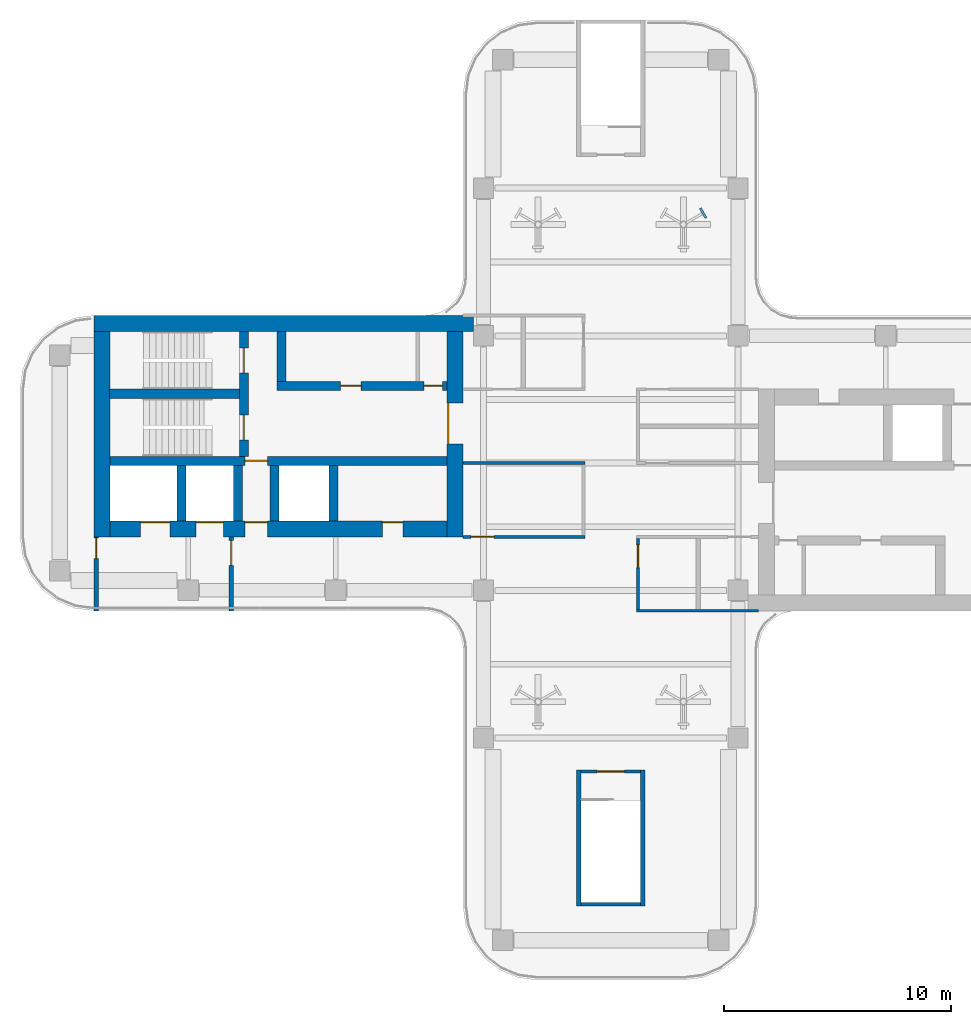
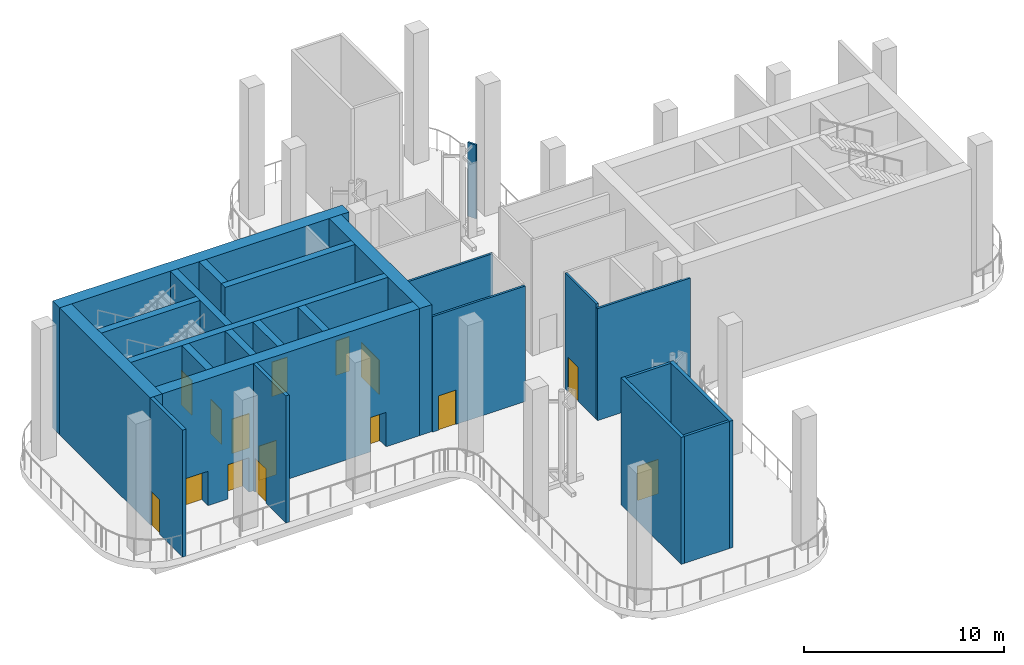
# One storey, part 2 of 8: 23 walls, 15 doors, 1 plate, 15 openings.
"""IFC4 building model written with IfcOpenShell, lengths in metres."""

import ifcopenshell
import ifcopenshell.guid

model = None  # the IFC model being written
_history = None  # IfcOwnerHistory: only IFC2X3 demands one
_inside = {}  # id of a spatial element -> (the spatial element, [elements in it])
_under = {}  # id of a project, library or spatial element -> (it, [spatial elements below it])
_declared = {}  # id of a project -> (the project, [libraries it declares])
_typed = {}  # id of a type object -> (the type object, [elements of that type])
_made_of = {}  # id of a material, layer set ... -> (it, [elements and type objects made of it])


def new_model(schema):
    """Start an empty IFC model of exactly this schema.

    Asked for "IFC4X3", IfcOpenShell would pick the latest addendum, in which some entities
    have other attributes; the version numbers below select the first issue.
    IFC2X3 requires an IfcOwnerHistory on every rooted entity: one is made here for all.
    """
    global model, _history
    if schema == "IFC4X3":
        model = ifcopenshell.file(schema_version=(4, 3, 0, 0))
    else:
        model = ifcopenshell.file(schema=schema)
    _inside.clear()
    _under.clear()
    _declared.clear()
    _typed.clear()
    _made_of.clear()
    _history = None
    if model.schema == "IFC2X3":
        org = make("IfcOrganization", Name="unknown")
        user = make(
            "IfcPersonAndOrganization",
            ThePerson=make("IfcPerson", FamilyName="unknown"),
            TheOrganization=org,
        )
        app = make(
            "IfcApplication",
            ApplicationDeveloper=org,
            Version="unknown",
            ApplicationFullName="unknown",
            ApplicationIdentifier="unknown",
        )
        _history = make(
            "IfcOwnerHistory",
            OwningUser=user,
            OwningApplication=app,
            ChangeAction="ADDED",
            CreationDate=0,
        )
    return model


def make(cls, **values):
    """One entity of the class cls with the attributes given. An attribute that is None is left unset."""
    return model.create_entity(
        cls, **{name: value for name, value in values.items() if value is not None}
    )


def rooted(cls, **values):
    """An entity with a GlobalId (a new one), such as an element, a storey or a relation."""
    return make(cls, GlobalId=ifcopenshell.guid.new(), OwnerHistory=_history, **values)


def si_unit(unit_type, name, prefix=None):
    """IfcSIUnit, for example si_unit("LENGTHUNIT", "METRE", prefix="MILLI")."""
    return make("IfcSIUnit", UnitType=unit_type, Prefix=prefix, Name=name)


def assignment(units):
    """IfcUnitAssignment: the units of a project."""
    return None if units is None else make("IfcUnitAssignment", Units=units)


def point(xyz):
    """IfcCartesianPoint."""
    return None if xyz is None else make("IfcCartesianPoint", Coordinates=xyz)


def direction(xyz):
    """IfcDirection."""
    return None if xyz is None else make("IfcDirection", DirectionRatios=xyz)


def frame(location, z_axis=None, x_axis=None):
    """IfcAxis2Placement3D, a coordinate frame: its origin and axes. An axis left out is left unset."""
    return make(
        "IfcAxis2Placement3D",
        Location=point(location),
        Axis=direction(z_axis),
        RefDirection=direction(x_axis),
    )


def frame_2d(location, x_axis=None):
    """IfcAxis2Placement2D, a coordinate frame in the plane: its origin and x axis."""
    return make(
        "IfcAxis2Placement2D", Location=point(location), RefDirection=direction(x_axis)
    )


def origin():
    """The frame at (0, 0, 0) with its axes left unset."""
    return frame((0.0, 0.0, 0.0))


def origin_2d():
    """The frame at (0, 0) in the plane with its x axis left unset."""
    return frame_2d((0.0, 0.0))


def place(relative_to, where):
    """IfcLocalPlacement: puts the frame where relative to a parent placement (None: the world)."""
    return make(
        "IfcLocalPlacement", PlacementRelTo=relative_to, RelativePlacement=where
    )


def context(
    kind, dimensions, precision=None, world=None, true_north=None, identifier=None
):
    """IfcGeometricRepresentationContext, for example the 3D "Model" context."""
    return make(
        "IfcGeometricRepresentationContext",
        ContextIdentifier=identifier,
        ContextType=kind,
        CoordinateSpaceDimension=dimensions,
        Precision=precision,
        WorldCoordinateSystem=world,
        TrueNorth=true_north,
    )


def subcontext(parent, identifier, kind, view, scale=None):
    """IfcGeometricRepresentationSubContext, for example "Body" below "Model"."""
    return make(
        "IfcGeometricRepresentationSubContext",
        ContextIdentifier=identifier,
        ContextType=kind,
        ParentContext=parent,
        TargetScale=scale,
        TargetView=view,
    )


def project(units=None, contexts=None):
    """IfcProject with its units and contexts."""
    return rooted(
        "IfcProject",
        Name="project",
        RepresentationContexts=contexts,
        UnitsInContext=assignment(units),
    )


def spatial(cls, under=None, at=None, **own):
    """A site, building, storey or space (cls), placed at a placement, below another one or the project."""
    s = rooted(cls, ObjectPlacement=at, **own)
    if under is not None:
        _under.setdefault(under.id(), (under, []))[1].append(s)
    return s


def profile(cls, at=None, kind="AREA", **sizes):
    """A parametric profile (cls). Its sizes go by their IFC names, for example OverallWidth=200.0."""
    return make(cls, ProfileType=kind, Position=at, **sizes)


def rectangle(**sizes):
    """IfcRectangleProfileDef."""
    return profile("IfcRectangleProfileDef", **sizes)


def extrude(swept, where, along, depth):
    """IfcExtrudedAreaSolid: the profile swept, set in the frame where, extruded along a direction by depth."""
    return make(
        "IfcExtrudedAreaSolid",
        SweptArea=swept,
        Position=where,
        ExtrudedDirection=direction(along),
        Depth=depth,
    )


def shape(context_of_items, identifier, shape_type, items):
    """IfcShapeRepresentation: the items that make up one representation, for example the "Body"."""
    return make(
        "IfcShapeRepresentation",
        ContextOfItems=context_of_items,
        RepresentationIdentifier=identifier,
        RepresentationType=shape_type,
        Items=items,
    )


def source(mapping_origin, context_of_items, identifier, shape_type, items):
    """IfcRepresentationMap: a shape defined once, which mapped items show again and again."""
    return make(
        "IfcRepresentationMap",
        MappingOrigin=mapping_origin,
        MappedRepresentation=shape(context_of_items, identifier, shape_type, items),
    )


def transform(
    local_origin,
    x_axis=None,
    y_axis=None,
    z_axis=None,
    scale=None,
    scale2=None,
    scale3=None,
    uniform=True,
):
    """IfcCartesianTransformationOperator3D, or its non-uniform kind. x_axis, y_axis, z_axis: its Axis1, 2, 3."""
    if uniform:
        return make(
            "IfcCartesianTransformationOperator3D",
            Axis1=direction(x_axis),
            Axis2=direction(y_axis),
            LocalOrigin=point(local_origin),
            Scale=scale,
            Axis3=direction(z_axis),
        )
    return make(
        "IfcCartesianTransformationOperator3DnonUniform",
        Axis1=direction(x_axis),
        Axis2=direction(y_axis),
        LocalOrigin=point(local_origin),
        Scale=scale,
        Axis3=direction(z_axis),
        Scale2=scale2,
        Scale3=scale3,
    )


def mapped(mapping_source, mapping_target):
    """IfcMappedItem: shows the shape of a source again, moved by a transform."""
    return make(
        "IfcMappedItem", MappingSource=mapping_source, MappingTarget=mapping_target
    )


def material(Name=None, Category=None):
    """IfcMaterial."""
    return make("IfcMaterial", Name=Name, Category=Category)


def layer(
    of_material, thickness, ventilated=None, Name=None, Category=None, Priority=None
):
    """IfcMaterialLayer: one layer of a wall or slab, of a material (None: an air gap)."""
    return make(
        "IfcMaterialLayer",
        Material=of_material,
        LayerThickness=thickness,
        IsVentilated=ventilated,
        Name=Name,
        Category=Category,
        Priority=Priority,
    )


def layer_set(layers, Name=None):
    """IfcMaterialLayerSet."""
    return make("IfcMaterialLayerSet", MaterialLayers=layers, LayerSetName=Name)


def made_of(thing, what):
    """Note that an element or type object is made of a material, layer set ...; save() writes the relation."""
    if what is not None:
        _made_of.setdefault(what.id(), (what, []))[1].append(thing)
    return thing


def type_object(cls, material=None, **own):
    """A type object (cls), such as IfcWallType, which elements share."""
    return made_of(rooted(cls, **own), material)


def element(
    cls,
    number,
    at=None,
    inside=None,
    cuts=None,
    type_object=None,
    material=None,
    context=None,
    identifier="Body",
    shape_type=None,
    held_by="IfcProductDefinitionShape",
    body=None,
    shapes=None,
    **own,
):
    """One element of the class cls, such as IfcWall. Its Tag is "e" and its number.

    at: its placement. inside: the storey or other place that contains it. cuts: it is an
    opening in that element (IfcRelVoidsElement). A single representation is given by context,
    identifier, shape_type and body (its items); several are given by shapes. held_by: the class
    of the entity that holds the representations. save() writes the other relations.
    """
    e = rooted(cls, Tag="e%d" % number, ObjectPlacement=at, **own)
    if body is not None:
        shapes = [shape(context, identifier, shape_type, body)]
    if shapes is not None:
        e.Representation = make(held_by, Representations=shapes)
    if inside is not None:
        _inside.setdefault(inside.id(), (inside, []))[1].append(e)
    if cuts is not None:
        rooted(
            "IfcRelVoidsElement", RelatingBuildingElement=cuts, RelatedOpeningElement=e
        )
    if type_object is not None:
        _typed.setdefault(type_object.id(), (type_object, []))[1].append(e)
    return made_of(e, material)


def fill(opening, filler):
    """IfcRelFillsElement: the door or window that sits in an opening."""
    return rooted(
        "IfcRelFillsElement",
        RelatingOpeningElement=opening,
        RelatedBuildingElement=filler,
    )


def aggregate(whole, parts):
    """IfcRelAggregates: a whole, such as a stair, and the parts it consists of."""
    return rooted("IfcRelAggregates", RelatingObject=whole, RelatedObjects=parts)


def save(model, path):
    """Write the relations noted so far, then the file.

    IfcRelAggregates (storeys below a building ...), IfcRelContainedInSpatialStructure (elements
    in a storey), IfcRelDefinesByType, IfcRelAssociatesMaterial and IfcRelDeclares: one each for
    every whole, place, type object, material and project.
    """
    for whole, parts in _under.values():
        aggregate(whole, parts)
    for where, things in _inside.values():
        rooted(
            "IfcRelContainedInSpatialStructure",
            RelatedElements=things,
            RelatingStructure=where,
        )
    for kind, things in _typed.values():
        rooted("IfcRelDefinesByType", RelatedObjects=things, RelatingType=kind)
    for what, things in _made_of.values():
        rooted("IfcRelAssociatesMaterial", RelatedObjects=things, RelatingMaterial=what)
    for by, libraries in _declared.values():
        rooted("IfcRelDeclares", RelatingContext=by, RelatedDefinitions=libraries)
    model.write(path)


model = new_model("IFC4")

# Units and contexts
model_context = context("Model", 3, precision=1e-05, world=origin(), true_north=direction((0.0, 1.0)))
body_context = subcontext(model_context, "Body", "Model", "MODEL_VIEW")
ifc_project = project(units=[si_unit("LENGTHUNIT", "METRE"), si_unit("AREAUNIT", "SQUARE_METRE"), si_unit("VOLUMEUNIT", "CUBIC_METRE"), si_unit("PLANEANGLEUNIT", "RADIAN"), si_unit("MASSUNIT", "GRAM", prefix="KILO")], contexts=[model_context])

# Site, building, storey
site_placement = place(None, origin())
site = spatial("IfcSite", under=ifc_project, at=site_placement, CompositionType="ELEMENT")
building_placement = place(site_placement, origin())
building = spatial("IfcBuilding", under=site, at=building_placement, Name="Trellis Farm Tower", CompositionType="ELEMENT")
storey_placement = place(building_placement, frame((0.0, 0.0, 330.10009765625)))
storey = spatial("IfcBuildingStorey", under=building, at=storey_placement, Name="L75", CompositionType="ELEMENT", Elevation=330.10009765625)

# Plate
ifc_material_1 = material(Name="Aluminium extrusion 6063-T6", Category="aluminium")
ifc_layer_1 = layer(ifc_material_1, 0.10009765625)
ifc_layer_set_1 = layer_set([ifc_layer_1], Name="TURBINE BLADE 100")
plate_type = type_object("IfcPlateType", Name="TURBINE BLADE 100", PredefinedType="USERDEFINED", material=ifc_layer_set_1)
shared_shape_1 = source(origin(), body_context, "Body", "SweptSolid", [
    extrude(rectangle(XDim=0.5, YDim=0.10009765625, at=origin_2d()), origin(), (0.0, 0.0, 1.0), 4.5),
])
plate_placement = place(storey_placement, frame((4.06591796875, 11.0, 0.75), z_axis=(0.0, 0.0, 1.0), x_axis=(-0.5, 0.866025403784, 0.0)))
element("IfcPlate", 1, at=plate_placement, inside=storey, type_object=plate_type, Name="TB4 U2-1", ObjectType="TURBINE BLADE", PredefinedType="USERDEFINED", context=body_context, shape_type="MappedRepresentation", body=[
    mapped(shared_shape_1, transform((0.0, 0.0, 0.0))),
])

# Wall, opening, door
ifc_material_2 = material(Name="Concrete C50/60", Category="concrete")
ifc_layer_2 = layer(ifc_material_2, 0.699951171875)
ifc_layer_set_2 = layer_set([ifc_layer_2], Name="CORE OUTER WALL 700 CONCRETE C50/60")
wall_type_1 = type_object("IfcWallType", Name="CORE OUTER WALL 700 CONCRETE C50/60", PredefinedType="SHEAR", material=ifc_layer_set_2)
shared_shape_2 = source(origin(), body_context, "Body", "SweptSolid", [
    extrude(rectangle(XDim=9.050048828125, YDim=0.699951171875, at=frame_2d((4.52490234375, 0.0))), origin(), (0.0, 0.0, 1.0), 7.75),
])
wall_1_placement = place(storey_placement, frame((-6.85009765625, 5.800048828125, 0.0), z_axis=(0.0, 0.0, 1.0), x_axis=(0.0, -1.0, 0.0)))
wall_1 = element("IfcWall", 2, at=wall_1_placement, inside=storey, type_object=wall_type_1, Name="Core wall", PredefinedType="SHEAR", context=body_context, shape_type="MappedRepresentation", body=[
    mapped(shared_shape_2, transform((0.0, 0.0, 0.0))),
])
shared_shape_3 = source(origin(), body_context, "Body", "SweptSolid", [
    extrude(rectangle(XDim=1.800048828125, YDim=2.10009765625, at=frame_2d((0.89990234375, 1.050048828125))), frame((0.0, 0.360107421875, 0.0), z_axis=(0.0, -1.0, 0.0), x_axis=(1.0, 0.0, 0.0)), (0.0, 0.0, 1.0), 0.72021484375),
])
opening_1_placement = place(wall_1_placement, frame((3.14990234375, 0.0, 0.0)))
opening_1 = element("IfcOpeningElement", 3, at=opening_1_placement, cuts=wall_1, Name="Opening DC87", PredefinedType="OPENING", context=body_context, shape_type="MappedRepresentation", body=[
    mapped(shared_shape_3, transform((0.0, 0.0, 0.0))),
])
ifc_material_3 = material(Name="Steel", Category="steel")
door_type_1 = type_object("IfcDoorType", Name="CORE FIRE DOOR DOUBLE 1800 X 2100", OperationType="DOUBLE_DOOR_SINGLE_SWING", PredefinedType="DOOR", material=ifc_material_3)
shared_shape_4 = source(origin(), body_context, "Body", "SweptSolid", [
    extrude(rectangle(XDim=1.800048828125, YDim=2.10009765625, at=frame_2d((0.89990234375, 1.050048828125))), frame((0.0, -0.27490234375, 0.0), z_axis=(0.0, -1.0, 0.0), x_axis=(1.0, 0.0, 0.0)), (0.0, 0.0, 1.0), 0.050048828125),
])
door_1_placement = place(opening_1_placement, origin())
door_1 = element("IfcDoor", 4, at=door_1_placement, inside=storey, type_object=door_type_1, Name="Core door", OperationType="DOUBLE_DOOR_SINGLE_SWING", OverallHeight=2.10009765625, OverallWidth=1.800048828125, PredefinedType="DOOR", context=body_context, shape_type="MappedRepresentation", body=[
    mapped(shared_shape_4, transform((0.0, 0.0, 0.0))),
])
fill(opening_1, door_1)

# Walls
wall_2_placement = place(storey_placement, frame((-22.39990234375, 5.800048828125, 0.0), z_axis=(0.0, 0.0, 1.0), x_axis=(0.0, -1.0, 0.0)))
element("IfcWall", 5, at=wall_2_placement, inside=storey, type_object=wall_type_1, Name="Core wall", PredefinedType="SHEAR", context=body_context, shape_type="MappedRepresentation", body=[
    mapped(shared_shape_2, transform((0.0, 0.0, 0.0))),
])
ifc_layer_3 = layer(ifc_material_2, 0.39990234375)
ifc_layer_set_3 = layer_set([ifc_layer_3], Name="CORE INNER WALL 400 CONCRETE C50/60")
wall_type_2 = type_object("IfcWallType", Name="CORE INNER WALL 400 CONCRETE C50/60", PredefinedType="SHEAR", material=ifc_layer_set_3)
shared_shape_5 = source(origin(), body_context, "Body", "SweptSolid", [
    extrude(rectangle(XDim=2.449951171875, YDim=0.39990234375, at=frame_2d((1.22509765625, 0.0))), origin(), (0.0, 0.0, 1.0), 7.75),
])
for number, where, z_axis, x_axis, name in (
    (6, (-12.199951171875, -0.10009765625, 0.0), (0.0, 0.0, 1.0), (0.0, -1.0, 0.0), "Core wall"),
    (7, (-14.800048828125, -0.10009765625, 0.0), (0.0, 0.0, 1.0), (0.0, -1.0, 0.0), "Core wall"),
    (8, (-16.39990234375, -0.10009765625, 0.0), (0.0, 0.0, 1.0), (0.0, -1.0, 0.0), "Core wall"),
    (9, (-18.89990234375, -0.10009765625, 0.0), (0.0, 0.0, 1.0), (0.0, -1.0, 0.0), "Core wall"),
):
    element("IfcWall", number, at=place(storey_placement, frame(where, z_axis=z_axis, x_axis=x_axis)), inside=storey, type_object=wall_type_2, Name=name, PredefinedType="SHEAR", context=body_context, shape_type="MappedRepresentation", body=[
        mapped(shared_shape_5, transform((0.0, 0.0, 0.0))),
    ])

# Wall, opening, door
ifc_material_4 = material(Name="Masonry blockwork", Category="masonry")
ifc_layer_4 = layer(ifc_material_4, 0.199951171875)
ifc_layer_set_4 = layer_set([ifc_layer_4], Name="FIRE LOBBY PARTITION 200 BLOCKWORK")
wall_type_3 = type_object("IfcWallType", Name="FIRE LOBBY PARTITION 200 BLOCKWORK", PredefinedType="PARTITIONING", material=ifc_layer_set_4)
shared_shape_6 = source(origin(), body_context, "Body", "SweptSolid", [
    extrude(rectangle(XDim=3.25, YDim=0.199951171875, at=frame_2d((1.625, 0.0))), origin(), (0.0, 0.0, 1.0), 7.75),
])
wall_3_placement = place(storey_placement, frame((-16.699951171875, -3.25, 0.0), z_axis=(0.0, 0.0, 1.0), x_axis=(0.0, -1.0, 0.0)))
wall_3 = element("IfcWall", 10, at=wall_3_placement, inside=storey, type_object=wall_type_3, Name="Fire-fighting lobby partition", PredefinedType="PARTITIONING", context=body_context, shape_type="MappedRepresentation", body=[
    mapped(shared_shape_6, transform((0.0, 0.0, 0.0))),
])
shared_shape_7 = source(origin(), body_context, "Body", "SweptSolid", [
    extrude(rectangle(XDim=1.10009765625, YDim=2.10009765625, at=frame_2d((0.550048828125, 1.050048828125))), frame((0.0, 0.110107421875, 0.0), z_axis=(0.0, -1.0, 0.0), x_axis=(1.0, 0.0, 0.0)), (0.0, 0.0, 1.0), 0.22021484375),
])
opening_2_placement = place(wall_3_placement, frame((0.14990234375, 0.0, 0.0)))
opening_2 = element("IfcOpeningElement", 11, at=opening_2_placement, cuts=wall_3, Name="Opening DC93", PredefinedType="OPENING", context=body_context, shape_type="MappedRepresentation", body=[
    mapped(shared_shape_7, transform((0.0, 0.0, 0.0))),
])
door_type_2 = type_object("IfcDoorType", Name="CORE FIRE DOOR 1100 X 2100", OperationType="NOTDEFINED", PredefinedType="DOOR", material=ifc_material_3)
shared_shape_8 = source(origin(), body_context, "Body", "SweptSolid", [
    extrude(rectangle(XDim=1.10009765625, YDim=2.10009765625, at=frame_2d((0.550048828125, 1.050048828125))), frame((0.0, 0.02490234375, 0.0), z_axis=(0.0, -1.0, 0.0), x_axis=(1.0, 0.0, 0.0)), (0.0, 0.0, 1.0), 0.050048828125),
])
door_2_placement = place(opening_2_placement, origin())
door_2 = element("IfcDoor", 12, at=door_2_placement, inside=storey, type_object=door_type_2, Name="Core door", OperationType="SINGLE_SWING_RIGHT", OverallHeight=2.10009765625, OverallWidth=1.10009765625, PredefinedType="DOOR", context=body_context, shape_type="MappedRepresentation", body=[
    mapped(shared_shape_8, transform((0.0, 0.0, 0.0))),
])
fill(opening_2, door_2)

wall_4_placement = place(storey_placement, frame((-22.64990234375, -3.25, 0.0), z_axis=(0.0, 0.0, 1.0), x_axis=(0.0, -1.0, 0.0)))
wall_4 = element("IfcWall", 13, at=wall_4_placement, inside=storey, type_object=wall_type_3, Name="Fire-fighting lobby partition", PredefinedType="PARTITIONING", context=body_context, shape_type="MappedRepresentation", body=[
    mapped(shared_shape_6, transform((0.0, 0.0, 0.0))),
])
shared_shape_9 = source(origin(), body_context, "Body", "SweptSolid", [
    extrude(rectangle(XDim=0.89990234375, YDim=2.10009765625, at=frame_2d((0.449951171875, 1.050048828125))), frame((0.0, 0.110107421875, 0.0), z_axis=(0.0, -1.0, 0.0), x_axis=(1.0, 0.0, 0.0)), (0.0, 0.0, 1.0), 0.22021484375),
])
opening_3_placement = place(wall_4_placement, frame((0.050048828125, 0.0, 0.0)))
opening_3 = element("IfcOpeningElement", 14, at=opening_3_placement, cuts=wall_4, Name="Opening DC94", PredefinedType="OPENING", context=body_context, shape_type="MappedRepresentation", body=[
    mapped(shared_shape_9, transform((0.0, 0.0, 0.0))),
])
door_type_3 = type_object("IfcDoorType", Name="CORE FIRE DOOR 900 X 2100", OperationType="NOTDEFINED", PredefinedType="DOOR", material=ifc_material_3)
shared_shape_10 = source(origin(), body_context, "Body", "SweptSolid", [
    extrude(rectangle(XDim=0.89990234375, YDim=2.10009765625, at=frame_2d((0.449951171875, 1.050048828125))), frame((0.0, 0.02490234375, 0.0), z_axis=(0.0, -1.0, 0.0), x_axis=(1.0, 0.0, 0.0)), (0.0, 0.0, 1.0), 0.050048828125),
])
door_3_placement = place(opening_3_placement, origin())
door_3 = element("IfcDoor", 15, at=door_3_placement, inside=storey, type_object=door_type_3, Name="Core door", OperationType="SINGLE_SWING_RIGHT", OverallHeight=2.10009765625, OverallWidth=0.89990234375, PredefinedType="DOOR", context=body_context, shape_type="MappedRepresentation", body=[
    mapped(shared_shape_10, transform((0.0, 0.0, 0.0))),
])
fill(opening_3, door_3)

# Wall
shared_shape_11 = source(origin(), body_context, "Body", "SweptSolid", [
    extrude(rectangle(XDim=16.699951171875, YDim=0.699951171875, at=frame_2d((8.35009765625, 0.0))), origin(), (0.0, 0.0, 1.0), 7.75),
])
wall_5_placement = place(storey_placement, frame((-6.050048828125, 6.14990234375, 0.0), z_axis=(0.0, 0.0, 1.0), x_axis=(-1.0, 0.0, 0.0)))
element("IfcWall", 16, at=wall_5_placement, inside=storey, type_object=wall_type_1, Name="Core wall", PredefinedType="SHEAR", context=body_context, shape_type="MappedRepresentation", body=[
    mapped(shared_shape_11, transform((0.0, 0.0, 0.0))),
])

# Wall, openings, doors
shared_shape_12 = source(origin(), body_context, "Body", "SweptSolid", [
    extrude(rectangle(XDim=14.85009765625, YDim=0.699951171875, at=frame_2d((7.425048828125, 0.0))), origin(), (0.0, 0.0, 1.0), 7.75),
])
wall_6_placement = place(storey_placement, frame((-7.199951171875, -2.89990234375, 0.0), z_axis=(0.0, 0.0, 1.0), x_axis=(-1.0, 0.0, 0.0)))
wall_6 = element("IfcWall", 17, at=wall_6_placement, inside=storey, type_object=wall_type_1, Name="Core wall", PredefinedType="SHEAR", context=body_context, shape_type="MappedRepresentation", body=[
    mapped(shared_shape_12, transform((0.0, 0.0, 0.0))),
])
shared_shape_13 = source(origin(), body_context, "Body", "SweptSolid", [
    extrude(rectangle(XDim=1.300048828125, YDim=2.10009765625, at=frame_2d((0.64990234375, 1.050048828125))), frame((0.0, 0.360107421875, 0.0), z_axis=(0.0, -1.0, 0.0), x_axis=(1.0, 0.0, 0.0)), (0.0, 0.0, 1.0), 0.72021484375),
])
opening_4_placement = place(wall_6_placement, frame((12.199951171875, 0.0, 0.0)))
opening_4 = element("IfcOpeningElement", 18, at=opening_4_placement, cuts=wall_6, Name="Opening LD15", PredefinedType="OPENING", context=body_context, shape_type="MappedRepresentation", body=[
    mapped(shared_shape_13, transform((0.0, 0.0, 0.0))),
])
shared_shape_14 = source(origin(), body_context, "Body", "SweptSolid", [
    extrude(rectangle(XDim=1.199951171875, YDim=2.10009765625, at=frame_2d((0.60009765625, 1.050048828125))), frame((0.0, 0.360107421875, 0.0), z_axis=(0.0, -1.0, 0.0), x_axis=(1.0, 0.0, 0.0)), (0.0, 0.0, 1.0), 0.72021484375),
])
opening_5_placement = place(wall_6_placement, frame((9.85009765625, 0.0, 0.0)))
opening_5 = element("IfcOpeningElement", 19, at=opening_5_placement, cuts=wall_6, Name="Opening LD16", PredefinedType="OPENING", context=body_context, shape_type="MappedRepresentation", body=[
    mapped(shared_shape_14, transform((0.0, 0.0, 0.0))),
])
shared_shape_15 = source(origin(), body_context, "Body", "SweptSolid", [
    extrude(rectangle(XDim=1.0, YDim=2.10009765625, at=frame_2d((0.5, 1.050048828125))), frame((0.0, 0.360107421875, 0.0), z_axis=(0.0, -1.0, 0.0), x_axis=(1.0, 0.0, 0.0)), (0.0, 0.0, 1.0), 0.72021484375),
])
opening_6_placement = place(wall_6_placement, frame((7.89990234375, 0.0, 0.0)))
opening_6 = element("IfcOpeningElement", 20, at=opening_6_placement, cuts=wall_6, Name="Opening DC92", PredefinedType="OPENING", context=body_context, shape_type="MappedRepresentation", body=[
    mapped(shared_shape_15, transform((0.0, 0.0, 0.0))),
])
shared_shape_16 = source(origin(), body_context, "Body", "SweptSolid", [
    extrude(rectangle(XDim=0.89990234375, YDim=2.10009765625, at=frame_2d((0.449951171875, 1.050048828125))), frame((0.0, 0.360107421875, 0.0), z_axis=(0.0, -1.0, 0.0), x_axis=(1.0, 0.0, 0.0)), (0.0, 0.0, 1.0), 0.72021484375),
])
opening_7_placement = place(wall_6_placement, frame((1.949951171875, 0.0, 0.0)))
opening_7 = element("IfcOpeningElement", 21, at=opening_7_placement, cuts=wall_6, Name="Opening DC97", PredefinedType="OPENING", context=body_context, shape_type="MappedRepresentation", body=[
    mapped(shared_shape_16, transform((0.0, 0.0, 0.0))),
])
door_type_4 = type_object("IfcDoorType", Name="CORE FIRE DOOR 1000 X 2100", OperationType="NOTDEFINED", PredefinedType="DOOR", material=ifc_material_3)
shared_shape_17 = source(origin(), body_context, "Body", "SweptSolid", [
    extrude(rectangle(XDim=1.0, YDim=2.10009765625, at=frame_2d((0.5, 1.050048828125))), frame((0.0, -0.27490234375, 0.0), z_axis=(0.0, -1.0, 0.0), x_axis=(1.0, 0.0, 0.0)), (0.0, 0.0, 1.0), 0.050048828125),
])
door_4_placement = place(opening_6_placement, origin())
door_4 = element("IfcDoor", 22, at=door_4_placement, inside=storey, type_object=door_type_4, Name="Core door", OperationType="SINGLE_SWING_LEFT", OverallHeight=2.10009765625, OverallWidth=1.0, PredefinedType="DOOR", context=body_context, shape_type="MappedRepresentation", body=[
    mapped(shared_shape_17, transform((0.0, 0.0, 0.0))),
])
fill(opening_6, door_4)
shared_shape_18 = source(origin(), body_context, "Body", "SweptSolid", [
    extrude(rectangle(XDim=0.89990234375, YDim=2.10009765625, at=frame_2d((0.449951171875, 1.050048828125))), frame((0.0, -0.27490234375, 0.0), z_axis=(0.0, -1.0, 0.0), x_axis=(1.0, 0.0, 0.0)), (0.0, 0.0, 1.0), 0.050048828125),
])
door_5_placement = place(opening_7_placement, origin())
door_5 = element("IfcDoor", 23, at=door_5_placement, inside=storey, type_object=door_type_3, Name="Core door", OperationType="SINGLE_SWING_LEFT", OverallHeight=2.10009765625, OverallWidth=0.89990234375, PredefinedType="DOOR", context=body_context, shape_type="MappedRepresentation", body=[
    mapped(shared_shape_18, transform((0.0, 0.0, 0.0))),
])
fill(opening_7, door_5)
ifc_material_5 = material(Name="Stainless steel", Category="steel")
door_type_5 = type_object("IfcDoorType", Name="LIFT LANDING DOOR 1300 X 2100", OperationType="DOUBLE_DOOR_SLIDING", PredefinedType="DOOR", material=ifc_material_5)
shared_shape_19 = source(origin(), body_context, "Body", "SweptSolid", [
    extrude(rectangle(XDim=1.300048828125, YDim=2.10009765625, at=frame_2d((0.64990234375, 1.050048828125))), frame((0.0, -0.27490234375, 0.0), z_axis=(0.0, -1.0, 0.0), x_axis=(1.0, 0.0, 0.0)), (0.0, 0.0, 1.0), 0.050048828125),
])
door_6_placement = place(opening_4_placement, origin())
door_6 = element("IfcDoor", 24, at=door_6_placement, inside=storey, type_object=door_type_5, Name="Lift landing door", OperationType="DOUBLE_DOOR_SLIDING", OverallHeight=2.10009765625, OverallWidth=1.300048828125, PredefinedType="DOOR", context=body_context, shape_type="MappedRepresentation", body=[
    mapped(shared_shape_19, transform((0.0, 0.0, 0.0))),
])
fill(opening_4, door_6)
door_type_6 = type_object("IfcDoorType", Name="LIFT LANDING DOOR 1200 X 2100", OperationType="DOUBLE_DOOR_SLIDING", PredefinedType="DOOR", material=ifc_material_5)
shared_shape_20 = source(origin(), body_context, "Body", "SweptSolid", [
    extrude(rectangle(XDim=1.199951171875, YDim=2.10009765625, at=frame_2d((0.60009765625, 1.050048828125))), frame((0.0, -0.27490234375, 0.0), z_axis=(0.0, -1.0, 0.0), x_axis=(1.0, 0.0, 0.0)), (0.0, 0.0, 1.0), 0.050048828125),
])
door_7_placement = place(opening_5_placement, origin())
door_7 = element("IfcDoor", 25, at=door_7_placement, inside=storey, type_object=door_type_6, Name="Lift landing door", OperationType="DOUBLE_DOOR_SLIDING", OverallHeight=2.10009765625, OverallWidth=1.199951171875, PredefinedType="DOOR", context=body_context, shape_type="MappedRepresentation", body=[
    mapped(shared_shape_20, transform((0.0, 0.0, 0.0))),
])
fill(opening_5, door_7)

shared_shape_21 = source(origin(), body_context, "Body", "SweptSolid", [
    extrude(rectangle(XDim=7.5, YDim=0.39990234375, at=frame_2d((3.75, 0.0))), origin(), (0.0, 0.0, 1.0), 7.75),
])
wall_7_placement = place(storey_placement, frame((-7.199951171875, 3.39990234375, 0.0), z_axis=(0.0, 0.0, 1.0), x_axis=(-1.0, 0.0, 0.0)))
wall_7 = element("IfcWall", 26, at=wall_7_placement, inside=storey, type_object=wall_type_2, Name="Core wall", PredefinedType="SHEAR", context=body_context, shape_type="MappedRepresentation", body=[
    mapped(shared_shape_21, transform((0.0, 0.0, 0.0))),
])
shared_shape_22 = source(origin(), body_context, "Body", "SweptSolid", [
    extrude(rectangle(XDim=0.800048828125, YDim=2.10009765625, at=frame_2d((0.39990234375, 1.050048828125))), frame((0.0, 0.2099609375, 0.0), z_axis=(0.0, -1.0, 0.0), x_axis=(1.0, 0.0, 0.0)), (0.0, 0.0, 1.0), 0.419921875),
])
opening_8_placement = place(wall_7_placement, frame((0.21240234375, 0.0, 0.0)))
opening_8 = element("IfcOpeningElement", 27, at=opening_8_placement, cuts=wall_7, Name="Opening DC137", PredefinedType="OPENING", context=body_context, shape_type="MappedRepresentation", body=[
    mapped(shared_shape_22, transform((0.0, 0.0, 0.0))),
])
shared_shape_23 = source(origin(), body_context, "Body", "SweptSolid", [
    extrude(rectangle(XDim=0.89990234375, YDim=2.10009765625, at=frame_2d((0.449951171875, 1.050048828125))), frame((0.0, 0.2099609375, 0.0), z_axis=(0.0, -1.0, 0.0), x_axis=(1.0, 0.0, 0.0)), (0.0, 0.0, 1.0), 0.419921875),
])
opening_9_placement = place(wall_7_placement, frame((3.78759765625, 0.0, 0.0)))
opening_9 = element("IfcOpeningElement", 28, at=opening_9_placement, cuts=wall_7, Name="Opening DC146", PredefinedType="OPENING", context=body_context, shape_type="MappedRepresentation", body=[
    mapped(shared_shape_23, transform((0.0, 0.0, 0.0))),
])
door_8_placement = place(opening_9_placement, origin())
door_8 = element("IfcDoor", 29, at=door_8_placement, inside=storey, type_object=door_type_3, Name="Core door", OperationType="SINGLE_SWING_RIGHT", OverallHeight=2.10009765625, OverallWidth=0.89990234375, PredefinedType="DOOR", context=body_context, shape_type="MappedRepresentation", body=[
    mapped(shared_shape_10, transform((0.0, 0.0, 0.0))),
])
fill(opening_9, door_8)
door_type_7 = type_object("IfcDoorType", Name="CORE FIRE DOOR 800 X 2100", OperationType="NOTDEFINED", PredefinedType="DOOR", material=ifc_material_3)
shared_shape_24 = source(origin(), body_context, "Body", "SweptSolid", [
    extrude(rectangle(XDim=0.800048828125, YDim=2.10009765625, at=frame_2d((0.39990234375, 1.050048828125))), frame((0.0, 0.02490234375, 0.0), z_axis=(0.0, -1.0, 0.0), x_axis=(1.0, 0.0, 0.0)), (0.0, 0.0, 1.0), 0.050048828125),
])
door_9_placement = place(opening_8_placement, origin())
door_9 = element("IfcDoor", 30, at=door_9_placement, inside=storey, type_object=door_type_7, Name="Core door", OperationType="SINGLE_SWING_LEFT", OverallHeight=2.10009765625, OverallWidth=0.800048828125, PredefinedType="DOOR", context=body_context, shape_type="MappedRepresentation", body=[
    mapped(shared_shape_24, transform((0.0, 0.0, 0.0))),
])
fill(opening_8, door_9)

# Wall, opening, door
shared_shape_25 = source(origin(), body_context, "Body", "SweptSolid", [
    extrude(rectangle(XDim=14.85009765625, YDim=0.39990234375, at=frame_2d((7.425048828125, 0.0))), origin(), (0.0, 0.0, 1.0), 7.75),
])
wall_8_placement = place(storey_placement, frame((-7.199951171875, 0.10009765625, 0.0), z_axis=(0.0, 0.0, 1.0), x_axis=(-1.0, 0.0, 0.0)))
wall_8 = element("IfcWall", 31, at=wall_8_placement, inside=storey, type_object=wall_type_2, Name="Core wall", PredefinedType="SHEAR", context=body_context, shape_type="MappedRepresentation", body=[
    mapped(shared_shape_25, transform((0.0, 0.0, 0.0))),
])
shared_shape_26 = source(origin(), body_context, "Body", "SweptSolid", [
    extrude(rectangle(XDim=1.0, YDim=2.10009765625, at=frame_2d((0.5, 1.050048828125))), frame((0.0, 0.2099609375, 0.0), z_axis=(0.0, -1.0, 0.0), x_axis=(1.0, 0.0, 0.0)), (0.0, 0.0, 1.0), 0.419921875),
])
opening_10_placement = place(wall_8_placement, frame((7.89990234375, 0.0, 0.0)))
opening_10 = element("IfcOpeningElement", 32, at=opening_10_placement, cuts=wall_8, Name="Opening DC91", PredefinedType="OPENING", context=body_context, shape_type="MappedRepresentation", body=[
    mapped(shared_shape_26, transform((0.0, 0.0, 0.0))),
])
shared_shape_27 = source(origin(), body_context, "Body", "SweptSolid", [
    extrude(rectangle(XDim=1.0, YDim=2.10009765625, at=frame_2d((0.5, 1.050048828125))), frame((0.0, 0.02490234375, 0.0), z_axis=(0.0, -1.0, 0.0), x_axis=(1.0, 0.0, 0.0)), (0.0, 0.0, 1.0), 0.050048828125),
])
door_10_placement = place(opening_10_placement, origin())
door_10 = element("IfcDoor", 33, at=door_10_placement, inside=storey, type_object=door_type_4, Name="Core door", OperationType="SINGLE_SWING_RIGHT", OverallHeight=2.10009765625, OverallWidth=1.0, PredefinedType="DOOR", context=body_context, shape_type="MappedRepresentation", body=[
    mapped(shared_shape_27, transform((0.0, 0.0, 0.0))),
])
fill(opening_10, door_10)

# Wall, openings, doors
shared_shape_28 = source(origin(), body_context, "Body", "SweptSolid", [
    extrude(rectangle(XDim=5.5, YDim=0.39990234375, at=frame_2d((2.75, 0.0))), origin(), (0.0, 0.0, 1.0), 7.75),
])
wall_9_placement = place(storey_placement, frame((-16.14990234375, 5.800048828125, 0.0), z_axis=(0.0, 0.0, 1.0), x_axis=(0.0, -1.0, 0.0)))
wall_9 = element("IfcWall", 34, at=wall_9_placement, inside=storey, type_object=wall_type_2, Name="Core wall", PredefinedType="SHEAR", context=body_context, shape_type="MappedRepresentation", body=[
    mapped(shared_shape_28, transform((0.0, 0.0, 0.0))),
])
shared_shape_29 = source(origin(), body_context, "Body", "SweptSolid", [
    extrude(rectangle(XDim=1.10009765625, YDim=2.10009765625, at=frame_2d((0.550048828125, 1.050048828125))), frame((0.0, 0.2099609375, 0.0), z_axis=(0.0, -1.0, 0.0), x_axis=(1.0, 0.0, 0.0)), (0.0, 0.0, 1.0), 0.419921875),
])
opening_11_placement = place(wall_9_placement, frame((0.72509765625, 0.0, 0.0)))
opening_11 = element("IfcOpeningElement", 35, at=opening_11_placement, cuts=wall_9, Name="Opening DC88", PredefinedType="OPENING", context=body_context, shape_type="MappedRepresentation", body=[
    mapped(shared_shape_29, transform((0.0, 0.0, 0.0))),
])
opening_12_placement = place(wall_9_placement, frame((3.675048828125, 0.0, 0.0)))
opening_12 = element("IfcOpeningElement", 36, at=opening_12_placement, cuts=wall_9, Name="Opening DC89", PredefinedType="OPENING", context=body_context, shape_type="MappedRepresentation", body=[
    mapped(shared_shape_29, transform((0.0, 0.0, 0.0))),
])
door_11_placement = place(opening_11_placement, origin())
door_11 = element("IfcDoor", 37, at=door_11_placement, inside=storey, type_object=door_type_2, Name="Core door", OperationType="SINGLE_SWING_RIGHT", OverallHeight=2.10009765625, OverallWidth=1.10009765625, PredefinedType="DOOR", context=body_context, shape_type="MappedRepresentation", body=[
    mapped(shared_shape_8, transform((0.0, 0.0, 0.0))),
])
fill(opening_11, door_11)
door_12_placement = place(opening_12_placement, origin())
door_12 = element("IfcDoor", 38, at=door_12_placement, inside=storey, type_object=door_type_2, Name="Core door", OperationType="SINGLE_SWING_LEFT", OverallHeight=2.10009765625, OverallWidth=1.10009765625, PredefinedType="DOOR", context=body_context, shape_type="MappedRepresentation", body=[
    mapped(shared_shape_8, transform((0.0, 0.0, 0.0))),
])
fill(opening_12, door_12)

# Walls
shared_shape_30 = source(origin(), body_context, "Body", "SweptSolid", [
    extrude(rectangle(XDim=5.699951171875, YDim=0.39990234375, at=frame_2d((2.85009765625, 0.0))), origin(), (0.0, 0.0, 1.0), 7.75),
])
wall_10_placement = place(storey_placement, frame((-16.35009765625, 3.050048828125, 0.0), z_axis=(0.0, 0.0, 1.0), x_axis=(-1.0, 0.0, 0.0)))
element("IfcWall", 39, at=wall_10_placement, inside=storey, type_object=wall_type_2, Name="Core wall", PredefinedType="SHEAR", context=body_context, shape_type="MappedRepresentation", body=[
    mapped(shared_shape_30, transform((0.0, 0.0, 0.0))),
])
shared_shape_31 = source(origin(), body_context, "Body", "SweptSolid", [
    extrude(rectangle(XDim=2.199951171875, YDim=0.39990234375, at=frame_2d((1.10009765625, 0.0))), origin(), (0.0, 0.0, 1.0), 7.75),
])
wall_11_placement = place(storey_placement, frame((-14.5, 5.800048828125, 0.0), z_axis=(0.0, 0.0, 1.0), x_axis=(0.0, -1.0, 0.0)))
element("IfcWall", 40, at=wall_11_placement, inside=storey, type_object=wall_type_2, Name="Core wall", PredefinedType="SHEAR", context=body_context, shape_type="MappedRepresentation", body=[
    mapped(shared_shape_31, transform((0.0, 0.0, 0.0))),
])
ifc_layer_5 = layer(ifc_material_2, 0.199951171875)
ifc_layer_set_5 = layer_set([ifc_layer_5], Name="CORE STAIR ENCLOSURE WALL 200 CONCRETE C50/60")
wall_type_4 = type_object("IfcWallType", Name="CORE STAIR ENCLOSURE WALL 200 CONCRETE C50/60", PredefinedType="SHEAR", material=ifc_layer_set_5)
shared_shape_32 = source(origin(), body_context, "Body", "SweptSolid", [
    extrude(rectangle(XDim=6.0, YDim=0.199951171875, at=frame_2d((3.0, 0.0))), origin(), (0.0, 0.0, 1.0), 7.75),
])
for number, where, z_axis, x_axis, name in (
    (41, (1.39990234375, -13.5, 0.0), (0.0, 0.0, 1.0), (0.0, -1.0, 0.0), "Stair enclosure wall"),
    (42, (-1.39990234375, -13.5, 0.0), (0.0, 0.0, 1.0), (0.0, -1.0, 0.0), "Stair enclosure wall"),
):
    element("IfcWall", number, at=place(storey_placement, frame(where, z_axis=z_axis, x_axis=x_axis)), inside=storey, type_object=wall_type_4, Name=name, PredefinedType="SHEAR", context=body_context, shape_type="MappedRepresentation", body=[
        mapped(shared_shape_32, transform((0.0, 0.0, 0.0))),
    ])

# Wall, opening, door
ifc_layer_6 = layer(ifc_material_2, 0.14990234375)
ifc_layer_set_6 = layer_set([ifc_layer_6], Name="CORE STAIR ENCLOSURE WALL 150 CONCRETE C50/60")
wall_type_5 = type_object("IfcWallType", Name="CORE STAIR ENCLOSURE WALL 150 CONCRETE C50/60", PredefinedType="SHEAR", material=ifc_layer_set_6)
shared_shape_33 = source(origin(), body_context, "Body", "SweptSolid", [
    extrude(rectangle(XDim=2.60009765625, YDim=0.14990234375, at=frame_2d((1.300048828125, 0.0))), origin(), (0.0, 0.0, 1.0), 7.75),
])
wall_12_placement = place(storey_placement, frame((1.300048828125, -13.574951171875, 0.0), z_axis=(0.0, 0.0, 1.0), x_axis=(-1.0, 0.0, 0.0)))
wall_12 = element("IfcWall", 43, at=wall_12_placement, inside=storey, type_object=wall_type_5, Name="Stair enclosure wall", PredefinedType="SHEAR", context=body_context, shape_type="MappedRepresentation", body=[
    mapped(shared_shape_33, transform((0.0, 0.0, 0.0))),
])
shared_shape_34 = source(origin(), body_context, "Body", "SweptSolid", [
    extrude(rectangle(XDim=1.199951171875, YDim=2.10009765625, at=frame_2d((0.60009765625, 1.050048828125))), frame((0.0, 0.0849609375, 0.0), z_axis=(0.0, -1.0, 0.0), x_axis=(1.0, 0.0, 0.0)), (0.0, 0.0, 1.0), 0.169921875),
])
opening_13_placement = place(wall_12_placement, frame((0.699951171875, 0.0, 0.0)))
opening_13 = element("IfcOpeningElement", 44, at=opening_13_placement, cuts=wall_12, Name="Opening DC174", PredefinedType="OPENING", context=body_context, shape_type="MappedRepresentation", body=[
    mapped(shared_shape_34, transform((0.0, 0.0, 0.0))),
])
door_type_8 = type_object("IfcDoorType", Name="CORE FIRE DOOR 1200 X 2100", OperationType="NOTDEFINED", PredefinedType="DOOR", material=ifc_material_3)
shared_shape_35 = source(origin(), body_context, "Body", "SweptSolid", [
    extrude(rectangle(XDim=1.199951171875, YDim=2.10009765625, at=frame_2d((0.60009765625, 1.050048828125))), frame((0.0, 0.02490234375, 0.0), z_axis=(0.0, -1.0, 0.0), x_axis=(1.0, 0.0, 0.0)), (0.0, 0.0, 1.0), 0.050048828125),
])
door_13_placement = place(opening_13_placement, origin())
door_13 = element("IfcDoor", 45, at=door_13_placement, inside=storey, type_object=door_type_8, Name="Core door", OperationType="SINGLE_SWING_RIGHT", OverallHeight=2.10009765625, OverallWidth=1.199951171875, PredefinedType="DOOR", context=body_context, shape_type="MappedRepresentation", body=[
    mapped(shared_shape_35, transform((0.0, 0.0, 0.0))),
])
fill(opening_13, door_13)

# Wall
wall_13_placement = place(storey_placement, frame((1.300048828125, -19.425048828125, 0.0), z_axis=(0.0, 0.0, 1.0), x_axis=(-1.0, 0.0, 0.0)))
element("IfcWall", 46, at=wall_13_placement, inside=storey, type_object=wall_type_5, Name="Stair enclosure wall", PredefinedType="SHEAR", context=body_context, shape_type="MappedRepresentation", body=[
    mapped(shared_shape_33, transform((0.0, 0.0, 0.0))),
])

# Wall, opening, door
ifc_material_6 = material(Name="Plasterboard on steel studs, mineral wool", Category="steel")
ifc_layer_7 = layer(ifc_material_6, 0.125)
ifc_layer_set_7 = layer_set([ifc_layer_7], Name="PARTITION 125 STUD EI 60")
wall_type_6 = type_object("IfcWallType", Name="PARTITION 125 STUD EI 60", PredefinedType="PARTITIONING", material=ifc_layer_set_7)
shared_shape_36 = source(origin(), body_context, "Body", "SweptSolid", [
    extrude(rectangle(XDim=3.125, YDim=0.125, at=frame_2d((1.5625, 0.0))), origin(), (0.0, 0.0, 1.0), 7.04638671875),
])
wall_14_placement = place(storey_placement, frame((1.199951171875, -6.4375, 0.0), z_axis=(0.0, 0.0, 1.0), x_axis=(0.0, 1.0, 0.0)))
wall_14 = element("IfcWall", 47, at=wall_14_placement, inside=storey, type_object=wall_type_6, Name="Partition PW1", PredefinedType="PARTITIONING", context=body_context, shape_type="MappedRepresentation", body=[
    mapped(shared_shape_36, transform((0.0, 0.0, 0.0))),
])
shared_shape_37 = source(origin(), body_context, "Body", "SweptSolid", [
    extrude(rectangle(XDim=1.0, YDim=2.10009765625, at=frame_2d((0.5, 1.050048828125))), frame((0.0, 0.072509765625, 0.0), z_axis=(0.0, -1.0, 0.0), x_axis=(1.0, 0.0, 0.0)), (0.0, 0.0, 1.0), 0.14501953125),
])
opening_14_placement = place(wall_14_placement, frame((1.83740234375, 0.0, 0.0)))
opening_14 = element("IfcOpeningElement", 48, at=opening_14_placement, cuts=wall_14, Name="Opening D301", PredefinedType="OPENING", context=body_context, shape_type="MappedRepresentation", body=[
    mapped(shared_shape_37, transform((0.0, 0.0, 0.0))),
])
ifc_material_7 = material(Name="Fire-rated timber door leaf in a hollow metal frame", Category="wood")
door_type_9 = type_object("IfcDoorType", Name="DOOR 1000x2100 FD60", OperationType="NOTDEFINED", PredefinedType="DOOR", material=ifc_material_7)
door_14_placement = place(opening_14_placement, origin())
door_14 = element("IfcDoor", 49, at=door_14_placement, inside=storey, type_object=door_type_9, Name="Door D301", OperationType="SINGLE_SWING_RIGHT", OverallHeight=2.10009765625, OverallWidth=1.0, PredefinedType="DOOR", context=body_context, shape_type="MappedRepresentation", body=[
    mapped(shared_shape_27, transform((0.0, 0.0, 0.0))),
])
fill(opening_14, door_14)

shared_shape_38 = source(origin(), body_context, "Body", "SweptSolid", [
    extrude(rectangle(XDim=5.362548828125, YDim=0.125, at=frame_2d((2.68115234375, 0.0))), origin(), (0.0, 0.0, 1.0), 7.04638671875),
])
wall_15_placement = place(storey_placement, frame((-1.137451171875, -3.25, 0.0), z_axis=(0.0, 0.0, 1.0), x_axis=(-1.0, 0.0, 0.0)))
wall_15 = element("IfcWall", 50, at=wall_15_placement, inside=storey, type_object=wall_type_6, Name="Partition PW1", PredefinedType="PARTITIONING", context=body_context, shape_type="MappedRepresentation", body=[
    mapped(shared_shape_38, transform((0.0, 0.0, 0.0))),
])
opening_15_placement = place(wall_15_placement, frame((4.012451171875, 0.0, 0.0)))
opening_15 = element("IfcOpeningElement", 51, at=opening_15_placement, cuts=wall_15, Name="Opening D302", PredefinedType="OPENING", context=body_context, shape_type="MappedRepresentation", body=[
    mapped(shared_shape_37, transform((0.0, 0.0, 0.0))),
])
door_15_placement = place(opening_15_placement, origin())
door_15 = element("IfcDoor", 52, at=door_15_placement, inside=storey, type_object=door_type_9, Name="Door D302", OperationType="SINGLE_SWING_RIGHT", OverallHeight=2.10009765625, OverallWidth=1.0, PredefinedType="DOOR", context=body_context, shape_type="MappedRepresentation", body=[
    mapped(shared_shape_27, transform((0.0, 0.0, 0.0))),
])
fill(opening_15, door_15)

# Walls
wall_16_placement = place(storey_placement, frame((-6.5, 0.0, 0.0), z_axis=(0.0, 0.0, 1.0), x_axis=(1.0, 0.0, 0.0)))
element("IfcWall", 53, at=wall_16_placement, inside=storey, type_object=wall_type_6, Name="Partition PW1", PredefinedType="PARTITIONING", context=body_context, shape_type="MappedRepresentation", body=[
    mapped(shared_shape_38, transform((0.0, 0.0, 0.0))),
])
shared_shape_39 = source(origin(), body_context, "Body", "SweptSolid", [
    extrude(rectangle(XDim=5.362548828125, YDim=0.125, at=frame_2d((2.68115234375, 0.0))), origin(), (0.0, 0.0, 1.0), 6.829833984375),
])
wall_17_placement = place(storey_placement, frame((6.5, -6.5, 0.0), z_axis=(0.0, 0.0, 1.0), x_axis=(-1.0, 0.0, 0.0)))
element("IfcWall", 54, at=wall_17_placement, inside=storey, type_object=wall_type_6, Name="Partition PW1", PredefinedType="PARTITIONING", context=body_context, shape_type="MappedRepresentation", body=[
    mapped(shared_shape_39, transform((0.0, 0.0, 0.0))),
])

save(model, "model.ifc")
